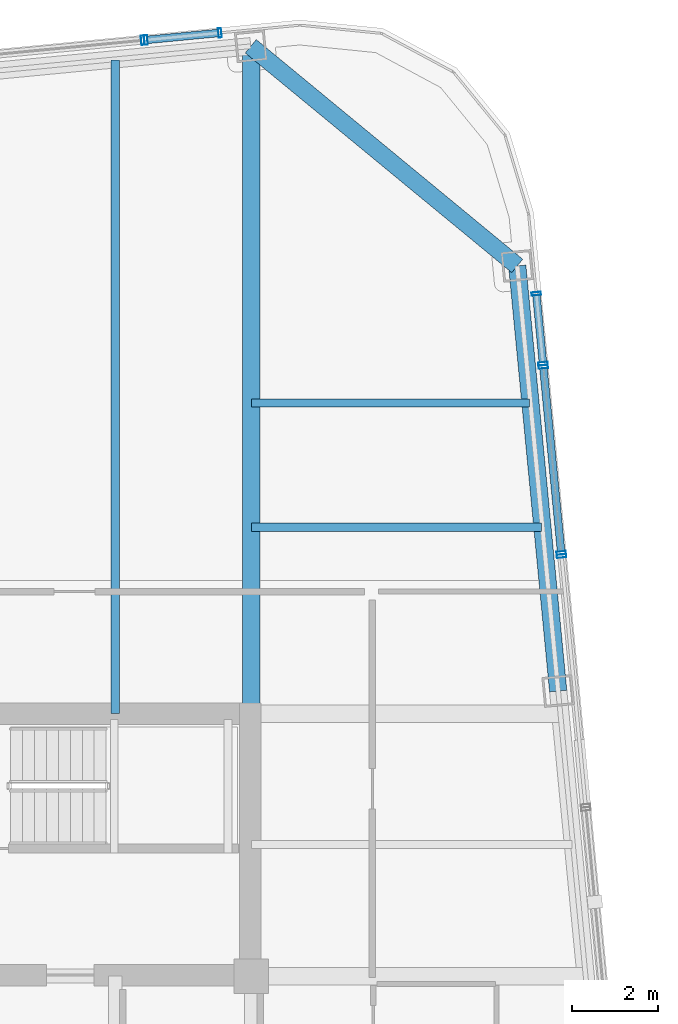
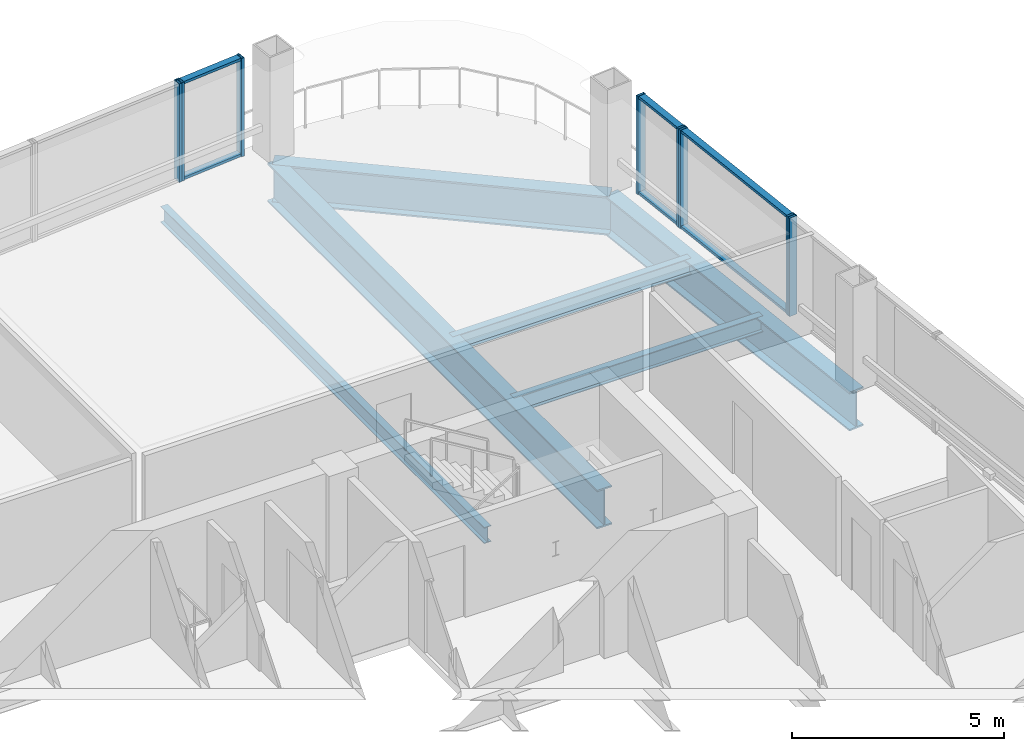
# One storey, part 22 of 28: 14 members, 6 beams, 5 elements without a shape of their own.
"""IFC4 building model written with IfcOpenShell, lengths in metres."""

from ifc_helpers import new_model, si_unit, direction, frame, origin, origin_2d, place, context, subcontext, project, spatial, hollow_rectangle, i_section, extrude, material, layer, layer_set, material_profile, profile_set, type_object, element, aggregate, save


model = new_model("IFC4")

# Units and contexts
model_context = context("Model", 3, precision=1e-05, world=origin(), true_north=direction((0.0, 1.0)))
body_context = subcontext(model_context, "Body", "Model", "MODEL_VIEW")
ifc_project = project(units=[si_unit("LENGTHUNIT", "METRE"), si_unit("AREAUNIT", "SQUARE_METRE"), si_unit("VOLUMEUNIT", "CUBIC_METRE"), si_unit("PLANEANGLEUNIT", "RADIAN"), si_unit("MASSUNIT", "GRAM", prefix="KILO")], contexts=[model_context])

# Site, building, storey
site_placement = place(None, origin())
site = spatial("IfcSite", under=ifc_project, at=site_placement, CompositionType="ELEMENT")
building_placement = place(site_placement, origin())
building = spatial("IfcBuilding", under=site, at=building_placement, Name="Qhalaya Broadcast Tower", CompositionType="ELEMENT")
storey_placement = place(building_placement, frame((0.0, 0.0, 159.199951171875)))
storey = spatial("IfcBuildingStorey", under=building, at=storey_placement, Name="L46", CompositionType="ELEMENT", Elevation=159.199951171875)

# Beams
ifc_material_1 = material(Name="Structural Steel ASTM A992 Grade 50", Category="steel")
ifc_material_profile_1 = material_profile(ifc_material_1, i_section(OverallWidth=0.19189453125, OverallDepth=0.462890625, WebThickness=0.010498046875, FlangeThickness=0.017578125, at=origin_2d()), Name="W18X60")
ifc_profile_set_1 = profile_set([ifc_material_profile_1], Name="Structural Steel ASTM A992 Grade 50")
beam_type_1 = type_object("IfcBeamType", Name="Composite Floor Joist J03", PredefinedType="JOIST", material=ifc_profile_set_1)
beam_1_placement = place(storey_placement, frame((6.199951171875, 9.949951171875, -0.451416015625), z_axis=(0.0, 1.0, 0.0), x_axis=(-1.0, 0.0, 0.0)))
element("IfcBeam", 1, at=beam_1_placement, inside=storey, type_object=beam_type_1, Name="L46 J03 L46-JNN5-1", PredefinedType="JOIST", context=body_context, shape_type="SweptSolid", body=[
    extrude(i_section(OverallWidth=0.19189453125, OverallDepth=0.462890625, WebThickness=0.010498046875, FlangeThickness=0.017578125, at=origin_2d()), origin(), (0.0, 0.0, 1.0), 15.25341796875),
])
beam_2_placement = place(storey_placement, frame((9.375, 14.300048828125, -0.451416015625), z_axis=(1.0, 0.0, 0.0), x_axis=(0.0, 1.0, 0.0)))
element("IfcBeam", 2, at=beam_2_placement, inside=storey, type_object=beam_type_1, Name="L46 J03 L46-JWE6E-1", PredefinedType="JOIST", context=body_context, shape_type="SweptSolid", body=[
    extrude(i_section(OverallWidth=0.19189453125, OverallDepth=0.462890625, WebThickness=0.010498046875, FlangeThickness=0.017578125, at=origin_2d()), origin(), (0.0, 0.0, 1.0), 6.7744140625),
])
beam_3_placement = place(storey_placement, frame((9.375, 17.199951171875, -0.451416015625), z_axis=(1.0, 0.0, 0.0), x_axis=(0.0, 1.0, 0.0)))
element("IfcBeam", 3, at=beam_3_placement, inside=storey, type_object=beam_type_1, Name="L46 J03 L46-JWE7E-1", PredefinedType="JOIST", context=body_context, shape_type="SweptSolid", body=[
    extrude(i_section(OverallWidth=0.19189453125, OverallDepth=0.462890625, WebThickness=0.010498046875, FlangeThickness=0.017578125, at=origin_2d()), origin(), (0.0, 0.0, 1.0), 6.4951171875),
])
ifc_material_profile_2 = material_profile(ifc_material_1, i_section(OverallWidth=0.404052734375, OverallDepth=1.117919921875, WebThickness=0.026123046875, FlangeThickness=0.044921875, at=origin_2d()), Name="W44X335")
ifc_profile_set_2 = profile_set([ifc_material_profile_2], Name="Structural Steel ASTM A992 Grade 50")
beam_type_2 = type_object("IfcBeamType", Name="Podium Long-Span Primary Girder PG1", PredefinedType="USERDEFINED", material=ifc_profile_set_2)
beam_4_placement = place(storey_placement, frame((16.537353515625, 10.4794921875, -0.779052734375), z_axis=(-0.095850563819, 0.99539573508, 0.0), x_axis=(-0.99539573508, -0.095850563819, 0.0)))
element("IfcBeam", 4, at=beam_4_placement, inside=storey, type_object=beam_type_2, Name="L46 PG1 L46-SPR-07", ObjectType="GIRDER", PredefinedType="USERDEFINED", context=body_context, shape_type="SweptSolid", body=[
    extrude(i_section(OverallWidth=0.404052734375, OverallDepth=1.117919921875, WebThickness=0.026123046875, FlangeThickness=0.044921875, at=origin_2d()), origin(), (0.0, 0.0, 1.0), 9.966796875),
])
beam_5_placement = place(storey_placement, frame((15.58203125, 20.400390625, -0.779052734375), z_axis=(-0.771618906354, 0.636085107008, 0.0), x_axis=(-0.636085107008, -0.771618906354, 0.0)))
element("IfcBeam", 5, at=beam_5_placement, inside=storey, type_object=beam_type_2, Name="L46 PG1 L46-SPR-08", ObjectType="GIRDER", PredefinedType="USERDEFINED", context=body_context, shape_type="SweptSolid", body=[
    extrude(i_section(OverallWidth=0.404052734375, OverallDepth=1.117919921875, WebThickness=0.026123046875, FlangeThickness=0.044921875, at=origin_2d()), origin(), (0.0, 0.0, 1.0), 8.06103515625),
])
beam_6_placement = place(storey_placement, frame((9.375, 9.949951171875, -0.779052734375), z_axis=(0.0, 1.0, 0.0), x_axis=(-1.0, 0.0, 0.0)))
element("IfcBeam", 6, at=beam_6_placement, inside=storey, type_object=beam_type_2, Name="L46 PG1 L46-PGXN2-1", ObjectType="GIRDER", PredefinedType="USERDEFINED", context=body_context, shape_type="SweptSolid", body=[
    extrude(i_section(OverallWidth=0.404052734375, OverallDepth=1.117919921875, WebThickness=0.026123046875, FlangeThickness=0.044921875, at=origin_2d()), origin(), (0.0, 0.0, 1.0), 15.541259765625),
])

# Curtain wall, member
ifc_material_2 = material(Name="Fired Architectural Terracotta", Category="masonry")
ifc_layer_1 = layer(ifc_material_2, 0.219970703125, Name="Fired Architectural Terracotta")
ifc_layer_set_1 = layer_set([ifc_layer_1], Name="Fired Architectural Terracotta")
curtain_wall_type_1 = type_object("IfcCurtainWallType", Name="Block-Cap Unitised Terracotta Spandrel Wall CW-07", PredefinedType="NOTDEFINED", material=ifc_layer_set_1)
curtain_wall_1_placement = place(storey_placement, origin())
curtain_wall_1 = element("IfcCurtainWall", 7, at=curtain_wall_1_placement, inside=storey, type_object=curtain_wall_type_1, Name="L46 Unitised Curtain Wall L46-CW-E5", PredefinedType="NOTDEFINED")
ifc_material_3 = material(Name="Anodised Aluminium 6063-T6", Category="aluminium")
ifc_material_profile_3 = material_profile(ifc_material_3, hollow_rectangle(XDim=0.074951171875, YDim=0.219970703125, WallThickness=0.00390625, at=origin_2d()), Name="ALU-MUL 75x220x4")
ifc_profile_set_3 = profile_set([ifc_material_profile_3], Name="Anodised Aluminium 6063-T6")
member_type_1 = type_object("IfcMemberType", Name="Unitised Curtain-Wall Mullion M01", PredefinedType="MULLION", material=ifc_profile_set_3)
member_1_placement = place(storey_placement, frame((16.61572265625, 13.62890625, 0.0), z_axis=(0.0, 0.0, 1.0), x_axis=(-0.095849311193, 0.9953958557, 0.0)))
member_1 = element("IfcMember", 8, at=member_1_placement, type_object=member_type_1, Name="CW-07 mullion 2", PredefinedType="MULLION", context=body_context, shape_type="SweptSolid", body=[
    extrude(hollow_rectangle(XDim=0.074951171875, YDim=0.219970703125, WallThickness=0.00390625, at=origin_2d()), origin(), (0.0, 0.0, 1.0), 2.830078125),
])
aggregate(curtain_wall_1, [member_1])

# Curtain wall, members
ifc_material_4 = material(Name="Solar-Control Low-E Triple Glazing", Category="glass")
ifc_layer_2 = layer(ifc_material_4, 0.219970703125, Name="Solar-Control Low-E Triple Glazing")
ifc_layer_set_2 = layer_set([ifc_layer_2], Name="Solar-Control Low-E Triple Glazing")
curtain_wall_type_2 = type_object("IfcCurtainWallType", Name="Even-Block 4-Storey Double-Module Curtain Wall CW-03", PredefinedType="NOTDEFINED", material=ifc_layer_set_2)
curtain_wall_2_placement = place(storey_placement, origin())
curtain_wall_2 = element("IfcCurtainWall", 9, at=curtain_wall_2_placement, inside=storey, type_object=curtain_wall_type_2, Name="L46 Unitised Curtain Wall L46-CW-E6", PredefinedType="NOTDEFINED")
member_2_placement = place(storey_placement, frame((16.608642578125, 13.70361328125, 0.0), z_axis=(0.0, 0.0, 1.0), x_axis=(-0.095832224028, 0.99539750092, 0.0)))
member_2 = element("IfcMember", 10, at=member_2_placement, type_object=member_type_1, Name="CW-03 mullion 1", PredefinedType="MULLION", context=body_context, shape_type="SweptSolid", body=[
    extrude(hollow_rectangle(XDim=0.074951171875, YDim=0.219970703125, WallThickness=0.00390625, at=origin_2d()), origin(), (0.0, 0.0, 1.0), 2.830078125),
])
member_3_placement = place(storey_placement, frame((16.190673828125, 18.04541015625, 0.0), z_axis=(0.0, 0.0, 1.0), x_axis=(-0.095832224028, 0.99539750092, 0.0)))
member_3 = element("IfcMember", 11, at=member_3_placement, type_object=member_type_1, Name="CW-03 mullion 2", PredefinedType="MULLION", context=body_context, shape_type="SweptSolid", body=[
    extrude(hollow_rectangle(XDim=0.074951171875, YDim=0.219970703125, WallThickness=0.00390625, at=origin_2d()), origin(), (0.0, 0.0, 1.0), 2.830078125),
])

curtain_wall_3_placement = place(storey_placement, origin())
curtain_wall_3 = element("IfcCurtainWall", 12, at=curtain_wall_3_placement, inside=storey, type_object=curtain_wall_type_1, Name="L46 Unitised Curtain Wall L46-CW-E7", PredefinedType="NOTDEFINED")
member_4_placement = place(storey_placement, frame((16.183349609375, 18.1201171875, 0.0), z_axis=(0.0, 0.0, 1.0), x_axis=(-0.095860176134, 0.995394809426, 0.0)))
member_4 = element("IfcMember", 13, at=member_4_placement, type_object=member_type_1, Name="CW-07 mullion 1", PredefinedType="MULLION", context=body_context, shape_type="SweptSolid", body=[
    extrude(hollow_rectangle(XDim=0.074951171875, YDim=0.219970703125, WallThickness=0.00390625, at=origin_2d()), origin(), (0.0, 0.0, 1.0), 2.830078125),
])
member_5_placement = place(storey_placement, frame((16.026123046875, 19.75244140625, 0.0), z_axis=(0.0, 0.0, 1.0), x_axis=(-0.095860176134, 0.995394809426, 0.0)))
member_5 = element("IfcMember", 14, at=member_5_placement, type_object=member_type_1, Name="CW-07 mullion 2", PredefinedType="MULLION", context=body_context, shape_type="SweptSolid", body=[
    extrude(hollow_rectangle(XDim=0.074951171875, YDim=0.219970703125, WallThickness=0.00390625, at=origin_2d()), origin(), (0.0, 0.0, 1.0), 2.830078125),
])

curtain_wall_4_placement = place(storey_placement, origin())
curtain_wall_4 = element("IfcCurtainWall", 15, at=curtain_wall_4_placement, inside=storey, type_object=curtain_wall_type_1, Name="L46 Unitised Curtain Wall L46-CW-N1", PredefinedType="NOTDEFINED")
member_6_placement = place(storey_placement, frame((8.64111328125, 25.840087890625, 0.0), z_axis=(0.0, 0.0, 1.0), x_axis=(-0.995395744559, -0.095850465381, 0.0)))
member_6 = element("IfcMember", 16, at=member_6_placement, type_object=member_type_1, Name="CW-07 mullion 1", PredefinedType="MULLION", context=body_context, shape_type="SweptSolid", body=[
    extrude(hollow_rectangle(XDim=0.074951171875, YDim=0.219970703125, WallThickness=0.00390625, at=origin_2d()), origin(), (0.0, 0.0, 1.0), 2.830078125),
])
member_7_placement = place(storey_placement, frame((6.916015625, 25.674072265625, 0.0), z_axis=(0.0, 0.0, 1.0), x_axis=(-0.995395744559, -0.095850465381, 0.0)))
member_7 = element("IfcMember", 17, at=member_7_placement, type_object=member_type_1, Name="CW-07 mullion 2", PredefinedType="MULLION", context=body_context, shape_type="SweptSolid", body=[
    extrude(hollow_rectangle(XDim=0.074951171875, YDim=0.219970703125, WallThickness=0.00390625, at=origin_2d()), origin(), (0.0, 0.0, 1.0), 2.830078125),
])

# Curtain wall, member
curtain_wall_5_placement = place(storey_placement, origin())
curtain_wall_5 = element("IfcCurtainWall", 18, at=curtain_wall_5_placement, inside=storey, type_object=curtain_wall_type_2, Name="L46 Unitised Curtain Wall L46-CW-N2", PredefinedType="NOTDEFINED")
member_8_placement = place(storey_placement, frame((6.841552734375, 25.6669921875, 0.0), z_axis=(0.0, 0.0, 1.0), x_axis=(-0.995397122956, -0.095836149814, 0.0)))
member_8 = element("IfcMember", 19, at=member_8_placement, type_object=member_type_1, Name="CW-03 mullion 1", PredefinedType="MULLION", context=body_context, shape_type="SweptSolid", body=[
    extrude(hollow_rectangle(XDim=0.074951171875, YDim=0.219970703125, WallThickness=0.00390625, at=origin_2d()), origin(), (0.0, 0.0, 1.0), 2.830078125),
])
aggregate(curtain_wall_5, [member_8])

# Member
ifc_material_profile_4 = material_profile(ifc_material_3, hollow_rectangle(XDim=0.074951171875, YDim=0.179931640625, WallThickness=0.00390625, at=origin_2d()), Name="ALU-TRN 75x180x4")
ifc_profile_set_4 = profile_set([ifc_material_profile_4], Name="Anodised Aluminium 6063-T6")
member_type_2 = type_object("IfcMemberType", Name="Unitised Curtain-Wall Transom T01", PredefinedType="USERDEFINED", material=ifc_profile_set_4)
member_9_placement = place(storey_placement, frame((16.60498046875, 13.740966796875, 0.03759765625), z_axis=(-0.095849139091, 0.995395872272, 0.0), x_axis=(0.0, 0.0, 1.0)))
member_9 = element("IfcMember", 20, at=member_9_placement, type_object=member_type_2, Name="CW-03 transom 1.1", ObjectType="TRANSOM", PredefinedType="USERDEFINED", context=body_context, shape_type="SweptSolid", body=[
    extrude(hollow_rectangle(XDim=0.074951171875, YDim=0.179931640625, WallThickness=0.00390625, at=origin_2d()), origin(), (0.0, 0.0, 1.0), 4.286865234375),
])

member_10_placement = place(storey_placement, frame((16.60498046875, 13.740966796875, 2.79248046875), z_axis=(-0.095849139091, 0.995395872272, 0.0), x_axis=(0.0, 0.0, 1.0)))
member_10 = element("IfcMember", 21, at=member_10_placement, type_object=member_type_2, Name="CW-03 transom 1.2", ObjectType="TRANSOM", PredefinedType="USERDEFINED", context=body_context, shape_type="SweptSolid", body=[
    extrude(hollow_rectangle(XDim=0.074951171875, YDim=0.179931640625, WallThickness=0.00390625, at=origin_2d()), origin(), (0.0, 0.0, 1.0), 4.286865234375),
])

aggregate(curtain_wall_2, [member_2, member_3, member_9, member_10])

member_11_placement = place(storey_placement, frame((16.179931640625, 18.157470703125, 0.03759765625), z_axis=(-0.095950230663, 0.995386132732, 0.0), x_axis=(0.0, 0.0, 1.0)))
member_11 = element("IfcMember", 22, at=member_11_placement, type_object=member_type_2, Name="CW-07 transom 1.1", ObjectType="TRANSOM", PredefinedType="USERDEFINED", context=body_context, shape_type="SweptSolid", body=[
    extrude(hollow_rectangle(XDim=0.074951171875, YDim=0.179931640625, WallThickness=0.00390625, at=origin_2d()), origin(), (0.0, 0.0, 1.0), 1.56494140625),
])

member_12_placement = place(storey_placement, frame((16.179931640625, 18.157470703125, 2.79248046875), z_axis=(-0.095950230663, 0.995386132732, 0.0), x_axis=(0.0, 0.0, 1.0)))
member_12 = element("IfcMember", 23, at=member_12_placement, type_object=member_type_2, Name="CW-07 transom 1.2", ObjectType="TRANSOM", PredefinedType="USERDEFINED", context=body_context, shape_type="SweptSolid", body=[
    extrude(hollow_rectangle(XDim=0.074951171875, YDim=0.179931640625, WallThickness=0.00390625, at=origin_2d()), origin(), (0.0, 0.0, 1.0), 1.56494140625),
])

aggregate(curtain_wall_3, [member_4, member_5, member_11, member_12])

member_13_placement = place(storey_placement, frame((8.603759765625, 25.836669921875, 0.03759765625), z_axis=(-0.995394989671, -0.095858304479, 0.0), x_axis=(0.0, 0.0, 1.0)))
member_13 = element("IfcMember", 24, at=member_13_placement, type_object=member_type_2, Name="CW-07 transom 1.1", ObjectType="TRANSOM", PredefinedType="USERDEFINED", context=body_context, shape_type="SweptSolid", body=[
    extrude(hollow_rectangle(XDim=0.074951171875, YDim=0.179931640625, WallThickness=0.00390625, at=origin_2d()), origin(), (0.0, 0.0, 1.0), 1.657958984375),
])

member_14_placement = place(storey_placement, frame((8.603759765625, 25.836669921875, 2.79248046875), z_axis=(-0.995394989671, -0.095858304479, 0.0), x_axis=(0.0, 0.0, 1.0)))
member_14 = element("IfcMember", 25, at=member_14_placement, type_object=member_type_2, Name="CW-07 transom 1.2", ObjectType="TRANSOM", PredefinedType="USERDEFINED", context=body_context, shape_type="SweptSolid", body=[
    extrude(hollow_rectangle(XDim=0.074951171875, YDim=0.179931640625, WallThickness=0.00390625, at=origin_2d()), origin(), (0.0, 0.0, 1.0), 1.657958984375),
])

aggregate(curtain_wall_4, [member_6, member_7, member_13, member_14])

save(model, "model.ifc")
